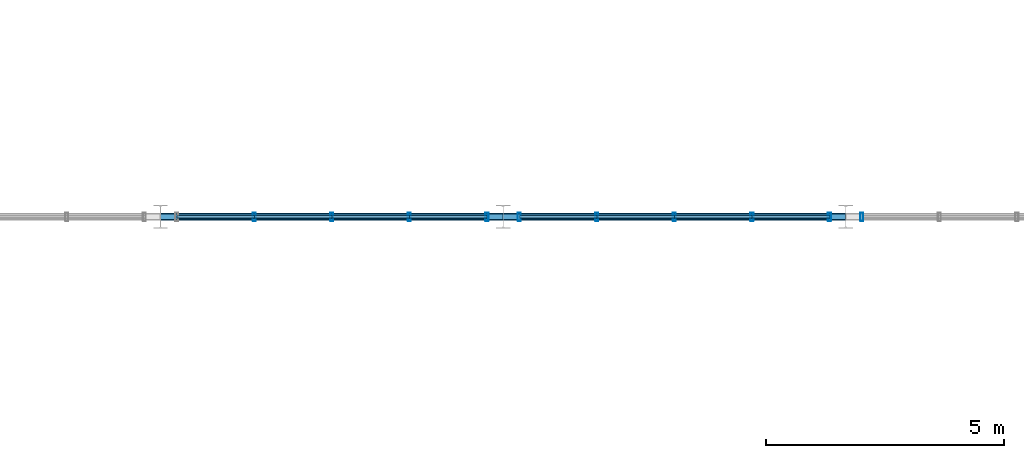
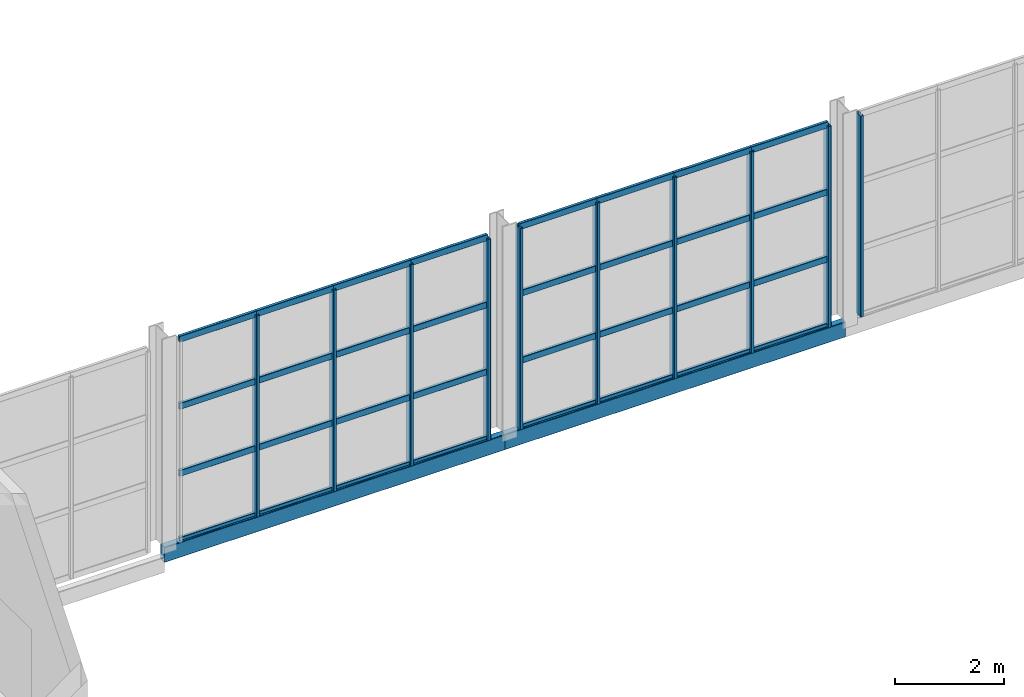
# One storey, part 28 of 143: 42 members, 2 beams, 3 elements without a shape of their own.
"""IFC4 building model written with IfcOpenShell, lengths in metres."""

from ifc_helpers import new_model, si_unit, derived_unit, direction, frame, origin, origin_2d, place, context, subcontext, project, spatial, hollow_rectangle, extrude, material, material_profile, profile_set, type_object, element, aggregate, save


model = new_model("IFC4")

# Units and contexts
model_context = context("Model", 3, precision=1e-05, world=origin(), true_north=direction((0.0, 1.0)))
body_context = subcontext(model_context, "Body", "Model", "MODEL_VIEW")
ifc_project = project(units=[si_unit("LENGTHUNIT", "METRE"), si_unit("AREAUNIT", "SQUARE_METRE"), si_unit("VOLUMEUNIT", "CUBIC_METRE"), si_unit("PLANEANGLEUNIT", "RADIAN"), si_unit("MASSUNIT", "GRAM", prefix="KILO"), derived_unit("THERMALTRANSMITTANCEUNIT", [(si_unit("POWERUNIT", "WATT"), 1), (si_unit("LENGTHUNIT", "METRE"), -2), (si_unit("THERMODYNAMICTEMPERATUREUNIT", "KELVIN"), -1)])], contexts=[model_context])

# Site, building, storey
site_placement = place(None, origin())
site = spatial("IfcSite", under=ifc_project, at=site_placement, CompositionType="ELEMENT")
building_placement = place(site_placement, origin())
building = spatial("IfcBuilding", under=site, at=building_placement, Name="Keldorne Ridge Multi-Sports Centre", CompositionType="ELEMENT")
storey_placement = place(building_placement, frame((0.0, 0.0, 4.800048828125)))
storey = spatial("IfcBuildingStorey", under=building, at=storey_placement, Name="L01", CompositionType="ELEMENT", Elevation=4.800048828125)

# Beams
ifc_material_1 = material(Name="Steel S355", Category="steel")
ifc_material_profile_1 = material_profile(ifc_material_1, hollow_rectangle(XDim=0.14990234375, YDim=0.35009765625, WallThickness=0.012451171875, InnerFilletRadius=0.012451171875, OuterFilletRadius=0.02490234375, at=origin_2d()), Name="RHS 350x150x12.5")
ifc_profile_set_1 = profile_set([ifc_material_profile_1], Name="Steel S355")
beam_type = type_object("IfcBeamType", Name="BM-SP-06", PredefinedType="SPANDREL", material=ifc_profile_set_1)
beam_1_placement = place(storey_placement, frame((20.39990234375, 54.0, -0.175048828125), z_axis=(1.0, 0.0, 0.0), x_axis=(0.0, 1.0, 0.0)))
element("IfcBeam", 1, at=beam_1_placement, inside=storey, type_object=beam_type, Name="Main Hall north spandrel L01.3", PredefinedType="SPANDREL", context=body_context, shape_type="SweptSolid", body=[
    extrude(hollow_rectangle(XDim=0.14990234375, YDim=0.35009765625, WallThickness=0.012451171875, InnerFilletRadius=0.012451171875, OuterFilletRadius=0.02490234375, at=origin_2d()), origin(), (0.0, 0.0, 1.0), 7.2001953125),
])
beam_2_placement = place(storey_placement, frame((27.60009765625, 54.0, -0.175048828125), z_axis=(1.0, 0.0, 0.0), x_axis=(0.0, 1.0, 0.0)))
element("IfcBeam", 2, at=beam_2_placement, inside=storey, type_object=beam_type, Name="Main Hall north spandrel L01.4", PredefinedType="SPANDREL", context=body_context, shape_type="SweptSolid", body=[
    extrude(hollow_rectangle(XDim=0.14990234375, YDim=0.35009765625, WallThickness=0.012451171875, InnerFilletRadius=0.012451171875, OuterFilletRadius=0.02490234375, at=origin_2d()), origin(), (0.0, 0.0, 1.0), 7.199951171875),
])

# Curtain wall, members
ifc_material_2 = material(Name="Anodized aluminium", Category="aluminium")
curtain_wall_type_1 = type_object("IfcCurtainWallType", Name="CW-CW-01", PredefinedType="NOTDEFINED", material=ifc_material_2)
curtain_wall_1_placement = place(storey_placement, origin())
curtain_wall_1 = element("IfcCurtainWall", 3, at=curtain_wall_1_placement, inside=storey, type_object=curtain_wall_type_1, Name="Main Hall north clerestory curtain wall 009", PredefinedType="NOTDEFINED")
ifc_material_profile_2 = material_profile(ifc_material_2, hollow_rectangle(XDim=0.06494140625, YDim=0.179931640625, WallThickness=0.00439453125, InnerFilletRadius=0.00439453125, OuterFilletRadius=0.009033203125, at=origin_2d()), Name="ALU MULLION 180x65x4.5")
ifc_profile_set_2 = profile_set([ifc_material_profile_2], Name="Anodized aluminium")
member_type_1 = type_object("IfcMemberType", Name="MEM-ML-01", PredefinedType="MULLION", material=ifc_profile_set_2)
member_1_placement = place(storey_placement, frame((27.260009765625, 54.0, 0.0), z_axis=(0.0, 0.0, 1.0), x_axis=(1.0, 0.0, 0.0)))
member_1 = element("IfcMember", 4, at=member_1_placement, type_object=member_type_1, Name="CW-009 vertical mullion 1", PredefinedType="MULLION", context=body_context, shape_type="SweptSolid", body=[
    extrude(hollow_rectangle(XDim=0.06494140625, YDim=0.179931640625, WallThickness=0.00439453125, InnerFilletRadius=0.00439453125, OuterFilletRadius=0.009033203125, at=origin_2d()), origin(), (0.0, 0.0, 1.0), 4.5),
])
member_2_placement = place(storey_placement, frame((25.6298828125, 54.0, 0.0), z_axis=(0.0, 0.0, 1.0), x_axis=(1.0, 0.0, 0.0)))
member_2 = element("IfcMember", 5, at=member_2_placement, type_object=member_type_1, Name="CW-009 vertical mullion 2", PredefinedType="MULLION", context=body_context, shape_type="SweptSolid", body=[
    extrude(hollow_rectangle(XDim=0.06494140625, YDim=0.179931640625, WallThickness=0.00439453125, InnerFilletRadius=0.00439453125, OuterFilletRadius=0.009033203125, at=origin_2d()), origin(), (0.0, 0.0, 1.0), 4.5),
])
member_3_placement = place(storey_placement, frame((24.0, 54.0, 0.0), z_axis=(0.0, 0.0, 1.0), x_axis=(1.0, 0.0, 0.0)))
member_3 = element("IfcMember", 6, at=member_3_placement, type_object=member_type_1, Name="CW-009 vertical mullion 3", PredefinedType="MULLION", context=body_context, shape_type="SweptSolid", body=[
    extrude(hollow_rectangle(XDim=0.06494140625, YDim=0.179931640625, WallThickness=0.00439453125, InnerFilletRadius=0.00439453125, OuterFilletRadius=0.009033203125, at=origin_2d()), origin(), (0.0, 0.0, 1.0), 4.5),
])
member_4_placement = place(storey_placement, frame((22.3701171875, 54.0, 0.0), z_axis=(0.0, 0.0, 1.0), x_axis=(1.0, 0.0, 0.0)))
member_4 = element("IfcMember", 7, at=member_4_placement, type_object=member_type_1, Name="CW-009 vertical mullion 4", PredefinedType="MULLION", context=body_context, shape_type="SweptSolid", body=[
    extrude(hollow_rectangle(XDim=0.06494140625, YDim=0.179931640625, WallThickness=0.00439453125, InnerFilletRadius=0.00439453125, OuterFilletRadius=0.009033203125, at=origin_2d()), origin(), (0.0, 0.0, 1.0), 4.5),
])

curtain_wall_type_2 = type_object("IfcCurtainWallType", Name="CW-CW-04", PredefinedType="NOTDEFINED", material=ifc_material_2)
curtain_wall_2_placement = place(storey_placement, origin())
curtain_wall_2 = element("IfcCurtainWall", 8, at=curtain_wall_2_placement, inside=storey, type_object=curtain_wall_type_2, Name="Main Hall north clerestory curtain wall 012", PredefinedType="NOTDEFINED")
member_5_placement = place(storey_placement, frame((34.4599609375, 54.0, 0.0), z_axis=(0.0, 0.0, 1.0), x_axis=(1.0, 0.0, 0.0)))
member_5 = element("IfcMember", 9, at=member_5_placement, type_object=member_type_1, Name="CW-012 vertical mullion 1", PredefinedType="MULLION", context=body_context, shape_type="SweptSolid", body=[
    extrude(hollow_rectangle(XDim=0.06494140625, YDim=0.179931640625, WallThickness=0.00439453125, InnerFilletRadius=0.00439453125, OuterFilletRadius=0.009033203125, at=origin_2d()), origin(), (0.0, 0.0, 1.0), 4.5),
])
member_6_placement = place(storey_placement, frame((32.830078125, 54.0, 0.0), z_axis=(0.0, 0.0, 1.0), x_axis=(1.0, 0.0, 0.0)))
member_6 = element("IfcMember", 10, at=member_6_placement, type_object=member_type_1, Name="CW-012 vertical mullion 2", PredefinedType="MULLION", context=body_context, shape_type="SweptSolid", body=[
    extrude(hollow_rectangle(XDim=0.06494140625, YDim=0.179931640625, WallThickness=0.00439453125, InnerFilletRadius=0.00439453125, OuterFilletRadius=0.009033203125, at=origin_2d()), origin(), (0.0, 0.0, 1.0), 4.5),
])
member_7_placement = place(storey_placement, frame((31.199951171875, 54.0, 0.0), z_axis=(0.0, 0.0, 1.0), x_axis=(1.0, 0.0, 0.0)))
member_7 = element("IfcMember", 11, at=member_7_placement, type_object=member_type_1, Name="CW-012 vertical mullion 3", PredefinedType="MULLION", context=body_context, shape_type="SweptSolid", body=[
    extrude(hollow_rectangle(XDim=0.06494140625, YDim=0.179931640625, WallThickness=0.00439453125, InnerFilletRadius=0.00439453125, OuterFilletRadius=0.009033203125, at=origin_2d()), origin(), (0.0, 0.0, 1.0), 4.5),
])
member_8_placement = place(storey_placement, frame((29.570068359375, 54.0, 0.0), z_axis=(0.0, 0.0, 1.0), x_axis=(1.0, 0.0, 0.0)))
member_8 = element("IfcMember", 12, at=member_8_placement, type_object=member_type_1, Name="CW-012 vertical mullion 4", PredefinedType="MULLION", context=body_context, shape_type="SweptSolid", body=[
    extrude(hollow_rectangle(XDim=0.06494140625, YDim=0.179931640625, WallThickness=0.00439453125, InnerFilletRadius=0.00439453125, OuterFilletRadius=0.009033203125, at=origin_2d()), origin(), (0.0, 0.0, 1.0), 4.5),
])
member_9_placement = place(storey_placement, frame((27.93994140625, 54.0, 0.0), z_axis=(0.0, 0.0, 1.0), x_axis=(1.0, 0.0, 0.0)))
member_9 = element("IfcMember", 13, at=member_9_placement, type_object=member_type_1, Name="CW-012 vertical mullion 5", PredefinedType="MULLION", context=body_context, shape_type="SweptSolid", body=[
    extrude(hollow_rectangle(XDim=0.06494140625, YDim=0.179931640625, WallThickness=0.00439453125, InnerFilletRadius=0.00439453125, OuterFilletRadius=0.009033203125, at=origin_2d()), origin(), (0.0, 0.0, 1.0), 4.5),
])

# Curtain wall, member
curtain_wall_type_3 = type_object("IfcCurtainWallType", Name="CW-CW-06", PredefinedType="NOTDEFINED", material=ifc_material_2)
curtain_wall_3_placement = place(storey_placement, origin())
curtain_wall_3 = element("IfcCurtainWall", 14, at=curtain_wall_3_placement, inside=storey, type_object=curtain_wall_type_3, Name="Main Hall north clerestory curtain wall 014", PredefinedType="NOTDEFINED")
member_10_placement = place(storey_placement, frame((35.139892578125, 54.0, 0.0), z_axis=(0.0, 0.0, 1.0), x_axis=(1.0, 0.0, 0.0)))
member_10 = element("IfcMember", 15, at=member_10_placement, type_object=member_type_1, Name="CW-014 vertical mullion 5", PredefinedType="MULLION", context=body_context, shape_type="SweptSolid", body=[
    extrude(hollow_rectangle(XDim=0.06494140625, YDim=0.179931640625, WallThickness=0.00439453125, InnerFilletRadius=0.00439453125, OuterFilletRadius=0.009033203125, at=origin_2d()), origin(), (0.0, 0.0, 1.0), 4.5),
])
aggregate(curtain_wall_3, [member_10])

# Member
ifc_material_profile_3 = material_profile(ifc_material_2, hollow_rectangle(XDim=0.06494140625, YDim=0.139892578125, WallThickness=0.00439453125, InnerFilletRadius=0.00439453125, OuterFilletRadius=0.009033203125, at=origin_2d()), Name="ALU TRANSOM 140x65x4.5")
ifc_profile_set_3 = profile_set([ifc_material_profile_3], Name="Anodized aluminium")
member_type_2 = type_object("IfcMemberType", Name="MEM-TR-01", PredefinedType="USERDEFINED", material=ifc_profile_set_3)
member_11_placement = place(storey_placement, frame((27.260009765625, 54.0, 0.0), z_axis=(-1.0, 0.0, 0.0), x_axis=(0.0, -1.0, 0.0)))
member_11 = element("IfcMember", 16, at=member_11_placement, type_object=member_type_2, Name="CW-009 transom 1.1", ObjectType="TRANSOM", PredefinedType="USERDEFINED", context=body_context, shape_type="SweptSolid", body=[
    extrude(hollow_rectangle(XDim=0.06494140625, YDim=0.139892578125, WallThickness=0.00439453125, InnerFilletRadius=0.00439453125, OuterFilletRadius=0.009033203125, at=origin_2d()), origin(), (0.0, 0.0, 1.0), 1.630126953125),
])

member_12_placement = place(storey_placement, frame((27.260009765625, 54.0, 1.5), z_axis=(-1.0, 0.0, 0.0), x_axis=(0.0, -1.0, 0.0)))
member_12 = element("IfcMember", 17, at=member_12_placement, type_object=member_type_2, Name="CW-009 transom 1.2", ObjectType="TRANSOM", PredefinedType="USERDEFINED", context=body_context, shape_type="SweptSolid", body=[
    extrude(hollow_rectangle(XDim=0.06494140625, YDim=0.139892578125, WallThickness=0.00439453125, InnerFilletRadius=0.00439453125, OuterFilletRadius=0.009033203125, at=origin_2d()), origin(), (0.0, 0.0, 1.0), 1.630126953125),
])

member_13_placement = place(storey_placement, frame((27.260009765625, 54.0, 3.0), z_axis=(-1.0, 0.0, 0.0), x_axis=(0.0, -1.0, 0.0)))
member_13 = element("IfcMember", 18, at=member_13_placement, type_object=member_type_2, Name="CW-009 transom 1.3", ObjectType="TRANSOM", PredefinedType="USERDEFINED", context=body_context, shape_type="SweptSolid", body=[
    extrude(hollow_rectangle(XDim=0.06494140625, YDim=0.139892578125, WallThickness=0.00439453125, InnerFilletRadius=0.00439453125, OuterFilletRadius=0.009033203125, at=origin_2d()), origin(), (0.0, 0.0, 1.0), 1.630126953125),
])

member_14_placement = place(storey_placement, frame((27.260009765625, 54.0, 4.5), z_axis=(-1.0, 0.0, 0.0), x_axis=(0.0, -1.0, 0.0)))
member_14 = element("IfcMember", 19, at=member_14_placement, type_object=member_type_2, Name="CW-009 transom 1.4", ObjectType="TRANSOM", PredefinedType="USERDEFINED", context=body_context, shape_type="SweptSolid", body=[
    extrude(hollow_rectangle(XDim=0.06494140625, YDim=0.139892578125, WallThickness=0.00439453125, InnerFilletRadius=0.00439453125, OuterFilletRadius=0.009033203125, at=origin_2d()), origin(), (0.0, 0.0, 1.0), 1.630126953125),
])

member_15_placement = place(storey_placement, frame((25.6298828125, 54.0, 0.0), z_axis=(-1.0, 0.0, 0.0), x_axis=(0.0, -1.0, 0.0)))
member_15 = element("IfcMember", 20, at=member_15_placement, type_object=member_type_2, Name="CW-009 transom 2.1", ObjectType="TRANSOM", PredefinedType="USERDEFINED", context=body_context, shape_type="SweptSolid", body=[
    extrude(hollow_rectangle(XDim=0.06494140625, YDim=0.139892578125, WallThickness=0.00439453125, InnerFilletRadius=0.00439453125, OuterFilletRadius=0.009033203125, at=origin_2d()), origin(), (0.0, 0.0, 1.0), 1.6298828125),
])

member_16_placement = place(storey_placement, frame((25.6298828125, 54.0, 1.5), z_axis=(-1.0, 0.0, 0.0), x_axis=(0.0, -1.0, 0.0)))
member_16 = element("IfcMember", 21, at=member_16_placement, type_object=member_type_2, Name="CW-009 transom 2.2", ObjectType="TRANSOM", PredefinedType="USERDEFINED", context=body_context, shape_type="SweptSolid", body=[
    extrude(hollow_rectangle(XDim=0.06494140625, YDim=0.139892578125, WallThickness=0.00439453125, InnerFilletRadius=0.00439453125, OuterFilletRadius=0.009033203125, at=origin_2d()), origin(), (0.0, 0.0, 1.0), 1.6298828125),
])

member_17_placement = place(storey_placement, frame((25.6298828125, 54.0, 3.0), z_axis=(-1.0, 0.0, 0.0), x_axis=(0.0, -1.0, 0.0)))
member_17 = element("IfcMember", 22, at=member_17_placement, type_object=member_type_2, Name="CW-009 transom 2.3", ObjectType="TRANSOM", PredefinedType="USERDEFINED", context=body_context, shape_type="SweptSolid", body=[
    extrude(hollow_rectangle(XDim=0.06494140625, YDim=0.139892578125, WallThickness=0.00439453125, InnerFilletRadius=0.00439453125, OuterFilletRadius=0.009033203125, at=origin_2d()), origin(), (0.0, 0.0, 1.0), 1.6298828125),
])

member_18_placement = place(storey_placement, frame((25.6298828125, 54.0, 4.5), z_axis=(-1.0, 0.0, 0.0), x_axis=(0.0, -1.0, 0.0)))
member_18 = element("IfcMember", 23, at=member_18_placement, type_object=member_type_2, Name="CW-009 transom 2.4", ObjectType="TRANSOM", PredefinedType="USERDEFINED", context=body_context, shape_type="SweptSolid", body=[
    extrude(hollow_rectangle(XDim=0.06494140625, YDim=0.139892578125, WallThickness=0.00439453125, InnerFilletRadius=0.00439453125, OuterFilletRadius=0.009033203125, at=origin_2d()), origin(), (0.0, 0.0, 1.0), 1.6298828125),
])

member_19_placement = place(storey_placement, frame((24.0, 54.0, 0.0), z_axis=(-1.0, 0.0, 0.0), x_axis=(0.0, -1.0, 0.0)))
member_19 = element("IfcMember", 24, at=member_19_placement, type_object=member_type_2, Name="CW-009 transom 3.1", ObjectType="TRANSOM", PredefinedType="USERDEFINED", context=body_context, shape_type="SweptSolid", body=[
    extrude(hollow_rectangle(XDim=0.06494140625, YDim=0.139892578125, WallThickness=0.00439453125, InnerFilletRadius=0.00439453125, OuterFilletRadius=0.009033203125, at=origin_2d()), origin(), (0.0, 0.0, 1.0), 1.6298828125),
])

member_20_placement = place(storey_placement, frame((24.0, 54.0, 1.5), z_axis=(-1.0, 0.0, 0.0), x_axis=(0.0, -1.0, 0.0)))
member_20 = element("IfcMember", 25, at=member_20_placement, type_object=member_type_2, Name="CW-009 transom 3.2", ObjectType="TRANSOM", PredefinedType="USERDEFINED", context=body_context, shape_type="SweptSolid", body=[
    extrude(hollow_rectangle(XDim=0.06494140625, YDim=0.139892578125, WallThickness=0.00439453125, InnerFilletRadius=0.00439453125, OuterFilletRadius=0.009033203125, at=origin_2d()), origin(), (0.0, 0.0, 1.0), 1.6298828125),
])

member_21_placement = place(storey_placement, frame((24.0, 54.0, 3.0), z_axis=(-1.0, 0.0, 0.0), x_axis=(0.0, -1.0, 0.0)))
member_21 = element("IfcMember", 26, at=member_21_placement, type_object=member_type_2, Name="CW-009 transom 3.3", ObjectType="TRANSOM", PredefinedType="USERDEFINED", context=body_context, shape_type="SweptSolid", body=[
    extrude(hollow_rectangle(XDim=0.06494140625, YDim=0.139892578125, WallThickness=0.00439453125, InnerFilletRadius=0.00439453125, OuterFilletRadius=0.009033203125, at=origin_2d()), origin(), (0.0, 0.0, 1.0), 1.6298828125),
])

member_22_placement = place(storey_placement, frame((24.0, 54.0, 4.5), z_axis=(-1.0, 0.0, 0.0), x_axis=(0.0, -1.0, 0.0)))
member_22 = element("IfcMember", 27, at=member_22_placement, type_object=member_type_2, Name="CW-009 transom 3.4", ObjectType="TRANSOM", PredefinedType="USERDEFINED", context=body_context, shape_type="SweptSolid", body=[
    extrude(hollow_rectangle(XDim=0.06494140625, YDim=0.139892578125, WallThickness=0.00439453125, InnerFilletRadius=0.00439453125, OuterFilletRadius=0.009033203125, at=origin_2d()), origin(), (0.0, 0.0, 1.0), 1.6298828125),
])

member_23_placement = place(storey_placement, frame((22.3701171875, 54.0, 0.0), z_axis=(-1.0, 0.0, 0.0), x_axis=(0.0, -1.0, 0.0)))
member_23 = element("IfcMember", 28, at=member_23_placement, type_object=member_type_2, Name="CW-009 transom 4.1", ObjectType="TRANSOM", PredefinedType="USERDEFINED", context=body_context, shape_type="SweptSolid", body=[
    extrude(hollow_rectangle(XDim=0.06494140625, YDim=0.139892578125, WallThickness=0.00439453125, InnerFilletRadius=0.00439453125, OuterFilletRadius=0.009033203125, at=origin_2d()), origin(), (0.0, 0.0, 1.0), 1.630126953125),
])

member_24_placement = place(storey_placement, frame((22.3701171875, 54.0, 1.5), z_axis=(-1.0, 0.0, 0.0), x_axis=(0.0, -1.0, 0.0)))
member_24 = element("IfcMember", 29, at=member_24_placement, type_object=member_type_2, Name="CW-009 transom 4.2", ObjectType="TRANSOM", PredefinedType="USERDEFINED", context=body_context, shape_type="SweptSolid", body=[
    extrude(hollow_rectangle(XDim=0.06494140625, YDim=0.139892578125, WallThickness=0.00439453125, InnerFilletRadius=0.00439453125, OuterFilletRadius=0.009033203125, at=origin_2d()), origin(), (0.0, 0.0, 1.0), 1.630126953125),
])

member_25_placement = place(storey_placement, frame((22.3701171875, 54.0, 3.0), z_axis=(-1.0, 0.0, 0.0), x_axis=(0.0, -1.0, 0.0)))
member_25 = element("IfcMember", 30, at=member_25_placement, type_object=member_type_2, Name="CW-009 transom 4.3", ObjectType="TRANSOM", PredefinedType="USERDEFINED", context=body_context, shape_type="SweptSolid", body=[
    extrude(hollow_rectangle(XDim=0.06494140625, YDim=0.139892578125, WallThickness=0.00439453125, InnerFilletRadius=0.00439453125, OuterFilletRadius=0.009033203125, at=origin_2d()), origin(), (0.0, 0.0, 1.0), 1.630126953125),
])

member_26_placement = place(storey_placement, frame((22.3701171875, 54.0, 4.5), z_axis=(-1.0, 0.0, 0.0), x_axis=(0.0, -1.0, 0.0)))
member_26 = element("IfcMember", 31, at=member_26_placement, type_object=member_type_2, Name="CW-009 transom 4.4", ObjectType="TRANSOM", PredefinedType="USERDEFINED", context=body_context, shape_type="SweptSolid", body=[
    extrude(hollow_rectangle(XDim=0.06494140625, YDim=0.139892578125, WallThickness=0.00439453125, InnerFilletRadius=0.00439453125, OuterFilletRadius=0.009033203125, at=origin_2d()), origin(), (0.0, 0.0, 1.0), 1.630126953125),
])

aggregate(curtain_wall_1, [member_1, member_2, member_3, member_4, member_11, member_12, member_13, member_14, member_15, member_16, member_17, member_18, member_19, member_20, member_21, member_22, member_23, member_24, member_25, member_26])

member_27_placement = place(storey_placement, frame((34.4599609375, 54.0, 0.0), z_axis=(-1.0, 0.0, 0.0), x_axis=(0.0, -1.0, 0.0)))
member_27 = element("IfcMember", 32, at=member_27_placement, type_object=member_type_2, Name="CW-012 transom 1.1", ObjectType="TRANSOM", PredefinedType="USERDEFINED", context=body_context, shape_type="SweptSolid", body=[
    extrude(hollow_rectangle(XDim=0.06494140625, YDim=0.139892578125, WallThickness=0.00439453125, InnerFilletRadius=0.00439453125, OuterFilletRadius=0.009033203125, at=origin_2d()), origin(), (0.0, 0.0, 1.0), 1.6298828125),
])

member_28_placement = place(storey_placement, frame((34.4599609375, 54.0, 1.5), z_axis=(-1.0, 0.0, 0.0), x_axis=(0.0, -1.0, 0.0)))
member_28 = element("IfcMember", 33, at=member_28_placement, type_object=member_type_2, Name="CW-012 transom 1.2", ObjectType="TRANSOM", PredefinedType="USERDEFINED", context=body_context, shape_type="SweptSolid", body=[
    extrude(hollow_rectangle(XDim=0.06494140625, YDim=0.139892578125, WallThickness=0.00439453125, InnerFilletRadius=0.00439453125, OuterFilletRadius=0.009033203125, at=origin_2d()), origin(), (0.0, 0.0, 1.0), 1.6298828125),
])

member_29_placement = place(storey_placement, frame((34.4599609375, 54.0, 3.0), z_axis=(-1.0, 0.0, 0.0), x_axis=(0.0, -1.0, 0.0)))
member_29 = element("IfcMember", 34, at=member_29_placement, type_object=member_type_2, Name="CW-012 transom 1.3", ObjectType="TRANSOM", PredefinedType="USERDEFINED", context=body_context, shape_type="SweptSolid", body=[
    extrude(hollow_rectangle(XDim=0.06494140625, YDim=0.139892578125, WallThickness=0.00439453125, InnerFilletRadius=0.00439453125, OuterFilletRadius=0.009033203125, at=origin_2d()), origin(), (0.0, 0.0, 1.0), 1.6298828125),
])

member_30_placement = place(storey_placement, frame((34.4599609375, 54.0, 4.5), z_axis=(-1.0, 0.0, 0.0), x_axis=(0.0, -1.0, 0.0)))
member_30 = element("IfcMember", 35, at=member_30_placement, type_object=member_type_2, Name="CW-012 transom 1.4", ObjectType="TRANSOM", PredefinedType="USERDEFINED", context=body_context, shape_type="SweptSolid", body=[
    extrude(hollow_rectangle(XDim=0.06494140625, YDim=0.139892578125, WallThickness=0.00439453125, InnerFilletRadius=0.00439453125, OuterFilletRadius=0.009033203125, at=origin_2d()), origin(), (0.0, 0.0, 1.0), 1.6298828125),
])

member_31_placement = place(storey_placement, frame((32.830078125, 54.0, 0.0), z_axis=(-1.0, 0.0, 0.0), x_axis=(0.0, -1.0, 0.0)))
member_31 = element("IfcMember", 36, at=member_31_placement, type_object=member_type_2, Name="CW-012 transom 2.1", ObjectType="TRANSOM", PredefinedType="USERDEFINED", context=body_context, shape_type="SweptSolid", body=[
    extrude(hollow_rectangle(XDim=0.06494140625, YDim=0.139892578125, WallThickness=0.00439453125, InnerFilletRadius=0.00439453125, OuterFilletRadius=0.009033203125, at=origin_2d()), origin(), (0.0, 0.0, 1.0), 1.630126953125),
])

member_32_placement = place(storey_placement, frame((32.830078125, 54.0, 1.5), z_axis=(-1.0, 0.0, 0.0), x_axis=(0.0, -1.0, 0.0)))
member_32 = element("IfcMember", 37, at=member_32_placement, type_object=member_type_2, Name="CW-012 transom 2.2", ObjectType="TRANSOM", PredefinedType="USERDEFINED", context=body_context, shape_type="SweptSolid", body=[
    extrude(hollow_rectangle(XDim=0.06494140625, YDim=0.139892578125, WallThickness=0.00439453125, InnerFilletRadius=0.00439453125, OuterFilletRadius=0.009033203125, at=origin_2d()), origin(), (0.0, 0.0, 1.0), 1.630126953125),
])

member_33_placement = place(storey_placement, frame((32.830078125, 54.0, 3.0), z_axis=(-1.0, 0.0, 0.0), x_axis=(0.0, -1.0, 0.0)))
member_33 = element("IfcMember", 38, at=member_33_placement, type_object=member_type_2, Name="CW-012 transom 2.3", ObjectType="TRANSOM", PredefinedType="USERDEFINED", context=body_context, shape_type="SweptSolid", body=[
    extrude(hollow_rectangle(XDim=0.06494140625, YDim=0.139892578125, WallThickness=0.00439453125, InnerFilletRadius=0.00439453125, OuterFilletRadius=0.009033203125, at=origin_2d()), origin(), (0.0, 0.0, 1.0), 1.630126953125),
])

member_34_placement = place(storey_placement, frame((32.830078125, 54.0, 4.5), z_axis=(-1.0, 0.0, 0.0), x_axis=(0.0, -1.0, 0.0)))
member_34 = element("IfcMember", 39, at=member_34_placement, type_object=member_type_2, Name="CW-012 transom 2.4", ObjectType="TRANSOM", PredefinedType="USERDEFINED", context=body_context, shape_type="SweptSolid", body=[
    extrude(hollow_rectangle(XDim=0.06494140625, YDim=0.139892578125, WallThickness=0.00439453125, InnerFilletRadius=0.00439453125, OuterFilletRadius=0.009033203125, at=origin_2d()), origin(), (0.0, 0.0, 1.0), 1.630126953125),
])

member_35_placement = place(storey_placement, frame((31.199951171875, 54.0, 0.0), z_axis=(-1.0, 0.0, 0.0), x_axis=(0.0, -1.0, 0.0)))
member_35 = element("IfcMember", 40, at=member_35_placement, type_object=member_type_2, Name="CW-012 transom 3.1", ObjectType="TRANSOM", PredefinedType="USERDEFINED", context=body_context, shape_type="SweptSolid", body=[
    extrude(hollow_rectangle(XDim=0.06494140625, YDim=0.139892578125, WallThickness=0.00439453125, InnerFilletRadius=0.00439453125, OuterFilletRadius=0.009033203125, at=origin_2d()), origin(), (0.0, 0.0, 1.0), 1.6298828125),
])

member_36_placement = place(storey_placement, frame((31.199951171875, 54.0, 1.5), z_axis=(-1.0, 0.0, 0.0), x_axis=(0.0, -1.0, 0.0)))
member_36 = element("IfcMember", 41, at=member_36_placement, type_object=member_type_2, Name="CW-012 transom 3.2", ObjectType="TRANSOM", PredefinedType="USERDEFINED", context=body_context, shape_type="SweptSolid", body=[
    extrude(hollow_rectangle(XDim=0.06494140625, YDim=0.139892578125, WallThickness=0.00439453125, InnerFilletRadius=0.00439453125, OuterFilletRadius=0.009033203125, at=origin_2d()), origin(), (0.0, 0.0, 1.0), 1.6298828125),
])

member_37_placement = place(storey_placement, frame((31.199951171875, 54.0, 3.0), z_axis=(-1.0, 0.0, 0.0), x_axis=(0.0, -1.0, 0.0)))
member_37 = element("IfcMember", 42, at=member_37_placement, type_object=member_type_2, Name="CW-012 transom 3.3", ObjectType="TRANSOM", PredefinedType="USERDEFINED", context=body_context, shape_type="SweptSolid", body=[
    extrude(hollow_rectangle(XDim=0.06494140625, YDim=0.139892578125, WallThickness=0.00439453125, InnerFilletRadius=0.00439453125, OuterFilletRadius=0.009033203125, at=origin_2d()), origin(), (0.0, 0.0, 1.0), 1.6298828125),
])

member_38_placement = place(storey_placement, frame((31.199951171875, 54.0, 4.5), z_axis=(-1.0, 0.0, 0.0), x_axis=(0.0, -1.0, 0.0)))
member_38 = element("IfcMember", 43, at=member_38_placement, type_object=member_type_2, Name="CW-012 transom 3.4", ObjectType="TRANSOM", PredefinedType="USERDEFINED", context=body_context, shape_type="SweptSolid", body=[
    extrude(hollow_rectangle(XDim=0.06494140625, YDim=0.139892578125, WallThickness=0.00439453125, InnerFilletRadius=0.00439453125, OuterFilletRadius=0.009033203125, at=origin_2d()), origin(), (0.0, 0.0, 1.0), 1.6298828125),
])

member_39_placement = place(storey_placement, frame((29.570068359375, 54.0, 0.0), z_axis=(-1.0, 0.0, 0.0), x_axis=(0.0, -1.0, 0.0)))
member_39 = element("IfcMember", 44, at=member_39_placement, type_object=member_type_2, Name="CW-012 transom 4.1", ObjectType="TRANSOM", PredefinedType="USERDEFINED", context=body_context, shape_type="SweptSolid", body=[
    extrude(hollow_rectangle(XDim=0.06494140625, YDim=0.139892578125, WallThickness=0.00439453125, InnerFilletRadius=0.00439453125, OuterFilletRadius=0.009033203125, at=origin_2d()), origin(), (0.0, 0.0, 1.0), 1.630126953125),
])

member_40_placement = place(storey_placement, frame((29.570068359375, 54.0, 1.5), z_axis=(-1.0, 0.0, 0.0), x_axis=(0.0, -1.0, 0.0)))
member_40 = element("IfcMember", 45, at=member_40_placement, type_object=member_type_2, Name="CW-012 transom 4.2", ObjectType="TRANSOM", PredefinedType="USERDEFINED", context=body_context, shape_type="SweptSolid", body=[
    extrude(hollow_rectangle(XDim=0.06494140625, YDim=0.139892578125, WallThickness=0.00439453125, InnerFilletRadius=0.00439453125, OuterFilletRadius=0.009033203125, at=origin_2d()), origin(), (0.0, 0.0, 1.0), 1.630126953125),
])

member_41_placement = place(storey_placement, frame((29.570068359375, 54.0, 3.0), z_axis=(-1.0, 0.0, 0.0), x_axis=(0.0, -1.0, 0.0)))
member_41 = element("IfcMember", 46, at=member_41_placement, type_object=member_type_2, Name="CW-012 transom 4.3", ObjectType="TRANSOM", PredefinedType="USERDEFINED", context=body_context, shape_type="SweptSolid", body=[
    extrude(hollow_rectangle(XDim=0.06494140625, YDim=0.139892578125, WallThickness=0.00439453125, InnerFilletRadius=0.00439453125, OuterFilletRadius=0.009033203125, at=origin_2d()), origin(), (0.0, 0.0, 1.0), 1.630126953125),
])

member_42_placement = place(storey_placement, frame((29.570068359375, 54.0, 4.5), z_axis=(-1.0, 0.0, 0.0), x_axis=(0.0, -1.0, 0.0)))
member_42 = element("IfcMember", 47, at=member_42_placement, type_object=member_type_2, Name="CW-012 transom 4.4", ObjectType="TRANSOM", PredefinedType="USERDEFINED", context=body_context, shape_type="SweptSolid", body=[
    extrude(hollow_rectangle(XDim=0.06494140625, YDim=0.139892578125, WallThickness=0.00439453125, InnerFilletRadius=0.00439453125, OuterFilletRadius=0.009033203125, at=origin_2d()), origin(), (0.0, 0.0, 1.0), 1.630126953125),
])

aggregate(curtain_wall_2, [member_5, member_6, member_7, member_8, member_9, member_27, member_28, member_29, member_30, member_31, member_32, member_33, member_34, member_35, member_36, member_37, member_38, member_39, member_40, member_41, member_42])

save(model, "model.ifc")
